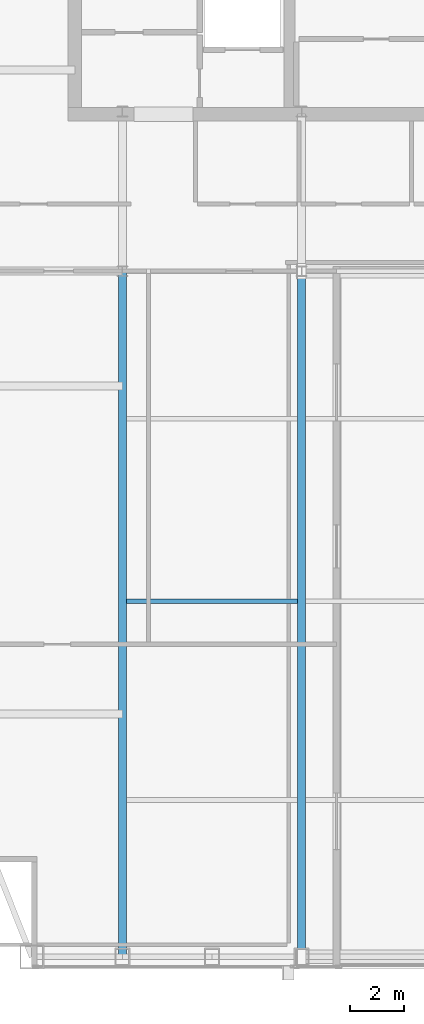
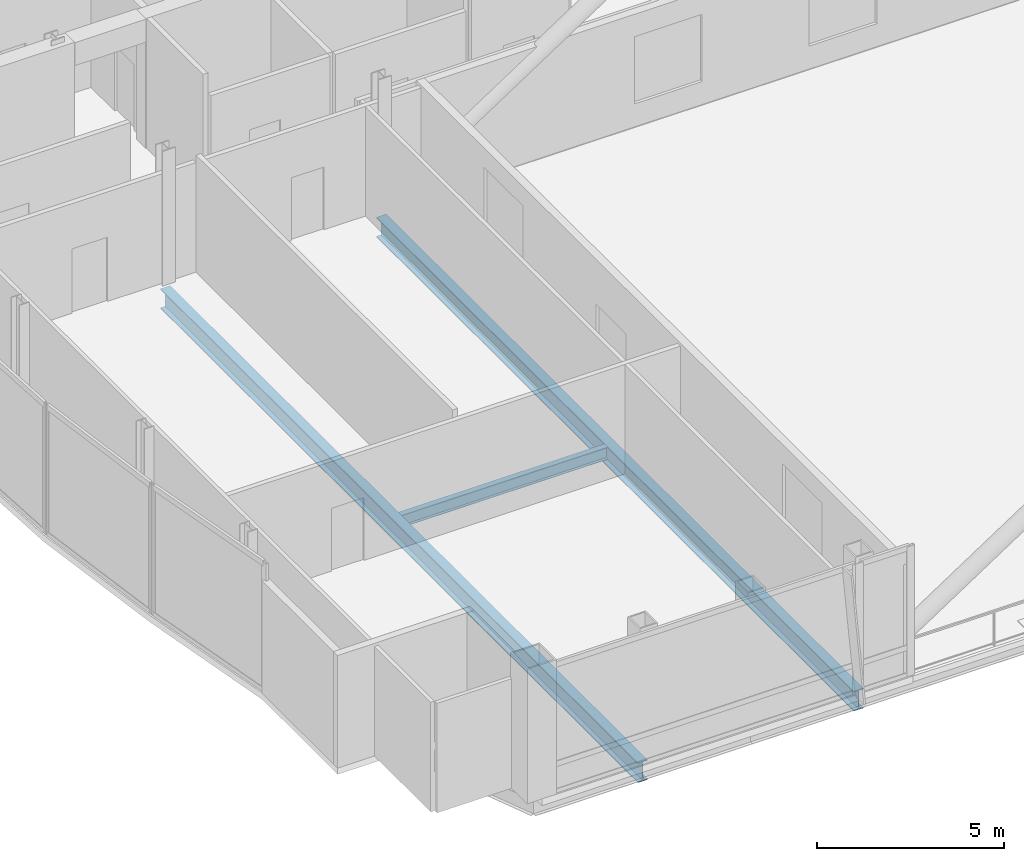
# One storey, part 6 of 27: 3 beams.
"""IFC4 building model written with IfcOpenShell, lengths in metres."""

from ifc_helpers import new_model, si_unit, direction, frame, origin, origin_2d, place, context, subcontext, project, spatial, i_section, extrude, material, material_profile, profile_set, type_object, element, save


model = new_model("IFC4")

# Units and contexts
model_context = context("Model", 3, precision=1e-05, world=origin(), true_north=direction((0.0, 1.0)))
body_context = subcontext(model_context, "Body", "Model", "MODEL_VIEW")
ifc_project = project(units=[si_unit("LENGTHUNIT", "METRE"), si_unit("AREAUNIT", "SQUARE_METRE"), si_unit("VOLUMEUNIT", "CUBIC_METRE"), si_unit("PLANEANGLEUNIT", "RADIAN"), si_unit("MASSUNIT", "GRAM", prefix="KILO")], contexts=[model_context])

# Site, building, storey
site_placement = place(None, origin())
site = spatial("IfcSite", under=ifc_project, at=site_placement, CompositionType="ELEMENT")
building_placement = place(site_placement, origin())
building = spatial("IfcBuilding", under=site, at=building_placement, Name="Khoronbel Lancet Exchange", CompositionType="ELEMENT")
storey_placement = place(building_placement, frame((0.0, 0.0, 305.800048828125)))
storey = spatial("IfcBuildingStorey", under=building, at=storey_placement, Name="L79", CompositionType="ELEMENT", Elevation=305.800048828125)

# Beams
ifc_material = material(Name="Steel S355", Category="steel")
ifc_material_profile_1 = material_profile(ifc_material, i_section(OverallWidth=0.300048828125, OverallDepth=0.64990234375, WebThickness=0.01611328125, FlangeThickness=0.031005859375, at=origin_2d()), Name="HEB 650")
ifc_profile_set_1 = profile_set([ifc_material_profile_1], Name="Steel S355")
beam_type_1 = type_object("IfcBeamType", Name="BM-BG4", PredefinedType="BEAM", material=ifc_profile_set_1)
for number, where, z_axis, x_axis, name in (
    (1, (18.22509765625, 10.14990234375, -0.545166015625), (0.0, 1.0, 0.0), (-1.0, 0.0, 0.0), "Level L79 south primary girder GS1"),
    (2, (24.89990234375, 10.14990234375, -0.545166015625), (0.0, 1.0, 0.0), (-1.0, 0.0, 0.0), "Level L79 south primary girder GS2"),
):
    element("IfcBeam", number, at=place(storey_placement, frame(where, z_axis=z_axis, x_axis=x_axis)), inside=storey, type_object=beam_type_1, Name=name, PredefinedType="BEAM", context=body_context, shape_type="SweptSolid", body=[
        extrude(i_section(OverallWidth=0.300048828125, OverallDepth=0.64990234375, WebThickness=0.01611328125, FlangeThickness=0.031005859375, at=origin_2d()), origin(), (0.0, 0.0, 1.0), 25.550048828125),
    ])
ifc_material_profile_2 = material_profile(ifc_material, i_section(OverallWidth=0.179931640625, OverallDepth=0.39990234375, WebThickness=0.008544921875, FlangeThickness=0.013427734375, at=origin_2d()), Name="IPE 400")
ifc_profile_set_2 = profile_set([ifc_material_profile_2], Name="Steel S355")
beam_type_2 = type_object("IfcBeamType", Name="BM-BJ5", PredefinedType="JOIST", material=ifc_profile_set_2)
beam_placement = place(storey_placement, frame((18.375, 23.39990234375, -0.420166015625), z_axis=(1.0, 0.0, 0.0), x_axis=(0.0, 1.0, 0.0)))
element("IfcBeam", 3, at=beam_placement, inside=storey, type_object=beam_type_2, Name="Level L79 secondary composite joist J06", PredefinedType="JOIST", context=body_context, shape_type="SweptSolid", body=[
    extrude(i_section(OverallWidth=0.179931640625, OverallDepth=0.39990234375, WebThickness=0.008544921875, FlangeThickness=0.013427734375, at=origin_2d()), origin(), (0.0, 0.0, 1.0), 6.375),
])

save(model, "model.ifc")
